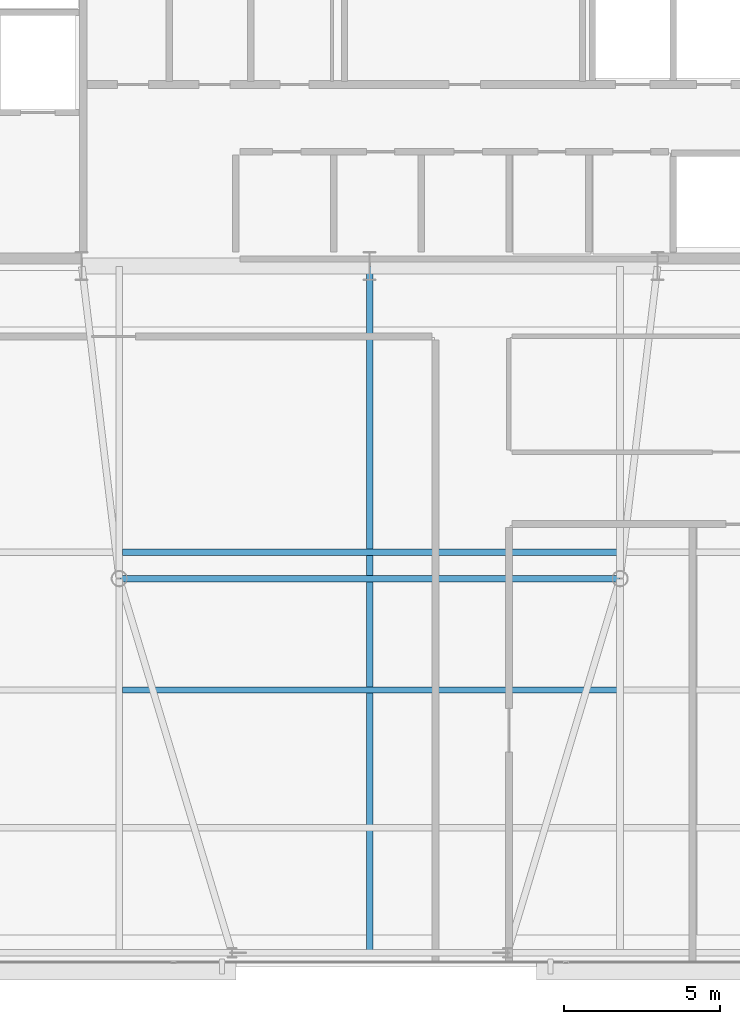
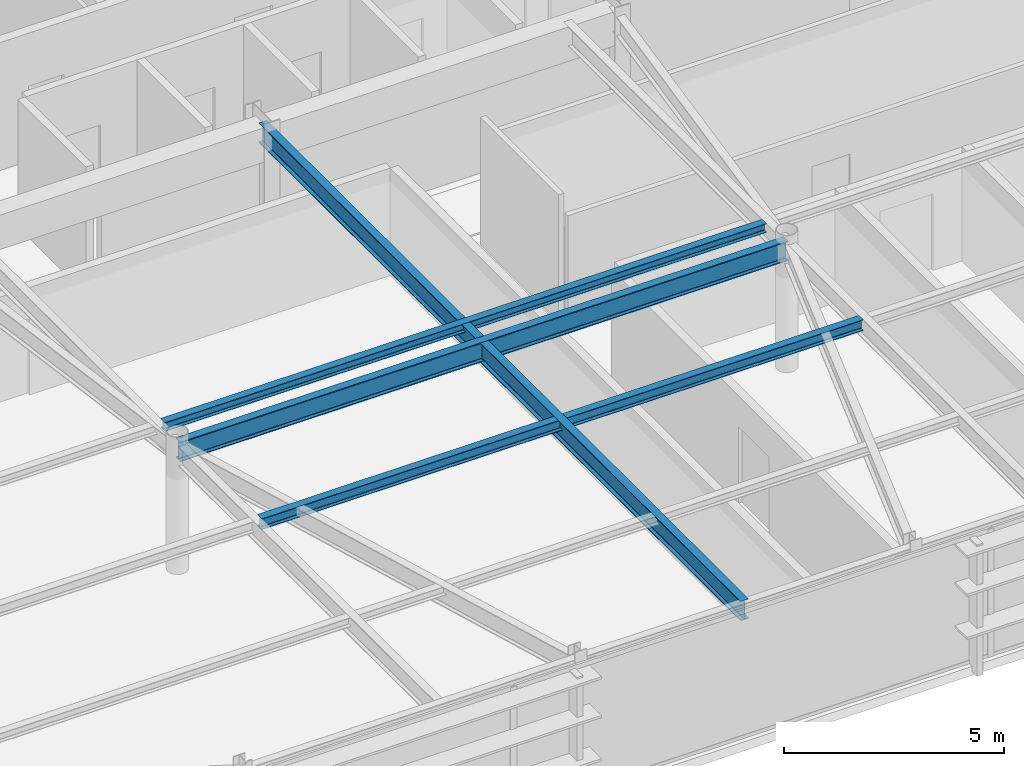
# One storey, part 9 of 24: 4 beams.
"""IFC4 building model written with IfcOpenShell, lengths in metres."""

from ifc_helpers import new_model, si_unit, direction, frame, origin, origin_2d, place, context, subcontext, project, spatial, i_section, extrude, source, transform, mapped, material, material_profile, profile_set, type_object, type_shapes, element, save


model = new_model("IFC4")

# Units and contexts
model_context = context("Model", 3, precision=1e-05, world=origin(), true_north=direction((0.0, 1.0)))
body_context = subcontext(model_context, "Body", "Model", "MODEL_VIEW")
ifc_project = project(units=[si_unit("LENGTHUNIT", "METRE"), si_unit("AREAUNIT", "SQUARE_METRE"), si_unit("VOLUMEUNIT", "CUBIC_METRE"), si_unit("PLANEANGLEUNIT", "RADIAN"), si_unit("MASSUNIT", "GRAM", prefix="KILO")], contexts=[model_context])

# Site, building, storey
site_placement = place(None, origin())
site = spatial("IfcSite", under=ifc_project, at=site_placement, CompositionType="ELEMENT")
building_placement = place(site_placement, origin())
building = spatial("IfcBuilding", under=site, at=building_placement, Name="Varnel Quay Broadcast Tower", CompositionType="ELEMENT")
storey_placement = place(building_placement, frame((0.0, 0.0, 285.0)))
storey = spatial("IfcBuildingStorey", under=building, at=storey_placement, Name="L71", CompositionType="ELEMENT", Elevation=285.0)

# Beams
ifc_material = material(Name="Structural Steel CSA G40.21 350W", Category="steel")
ifc_material_profile_1 = material_profile(ifc_material, i_section(OverallWidth=0.2119140625, OverallDepth=0.5439453125, WebThickness=0.01318359375, FlangeThickness=0.021240234375, FilletRadius=0.013916015625, at=origin_2d()), Name="W530X123")
ifc_profile_set_1 = profile_set([ifc_material_profile_1], Name="Structural Steel CSA G40.21 350W")
beam_type_1 = type_object("IfcBeamType", Name="Girder_W530X123", PredefinedType="BEAM", material=ifc_profile_set_1)
shared_shape_1 = source(origin(), body_context, "Body", "SweptSolid", [
    extrude(i_section(OverallWidth=0.2119140625, OverallDepth=0.5439453125, WebThickness=0.01318359375, FlangeThickness=0.021240234375, FilletRadius=0.013916015625, at=origin_2d()), origin(), (0.0, 0.0, 1.0), 15.9599609375),
])
beam_1_placement = place(storey_placement, frame((26.02001953125, 25.610107421875, 3.278076171875), z_axis=(1.0, 0.0, 0.0), x_axis=(0.0, 1.0, 0.0)))
element("IfcBeam", 1, at=beam_1_placement, inside=storey, type_object=beam_type_1, Name="L71 Interior Spine Girder", PredefinedType="BEAM", context=body_context, shape_type="MappedRepresentation", body=[
    mapped(shared_shape_1, transform((0.0, 0.0, 0.0), x_axis=(1.0, 0.0, 0.0), y_axis=(0.0, 1.0, 0.0), z_axis=(0.0, 0.0, 1.0), scale=1.0)),
])
shared_shape_2 = source(origin(), body_context, "Body", "SweptSolid", [
    extrude(i_section(OverallWidth=0.2119140625, OverallDepth=0.5439453125, WebThickness=0.01318359375, FlangeThickness=0.021240234375, FilletRadius=0.013916015625, at=origin_2d()), origin(), (0.0, 0.0, 1.0), 21.91015625),
])
type_shapes(beam_type_1, [shared_shape_1, shared_shape_2])
beam_2_placement = place(storey_placement, frame((34.0, 13.669921875, 3.278076171875), z_axis=(0.0, 1.0, 0.0), x_axis=(-1.0, 0.0, 0.0)))
element("IfcBeam", 2, at=beam_2_placement, inside=storey, type_object=beam_type_1, Name="L71 Central Bay Girder", PredefinedType="BEAM", context=body_context, shape_type="MappedRepresentation", body=[
    mapped(shared_shape_2, transform((0.0, 0.0, 0.0), x_axis=(1.0, 0.0, 0.0), y_axis=(0.0, 1.0, 0.0), z_axis=(0.0, 0.0, 1.0), scale=1.0)),
])
ifc_material_profile_2 = material_profile(ifc_material, i_section(OverallWidth=0.201904296875, OverallDepth=0.2470703125, WebThickness=0.00732421875, FlangeThickness=0.010986328125, FilletRadius=0.010986328125, at=origin_2d()), Name="W250X49")
ifc_profile_set_2 = profile_set([ifc_material_profile_2], Name="Structural Steel CSA G40.21 350W")
beam_type_2 = type_object("IfcBeamType", Name="Beam_W250X49", PredefinedType="JOIST", material=ifc_profile_set_2)
shared_shape_3 = source(origin(), body_context, "Body", "SweptSolid", [
    extrude(i_section(OverallWidth=0.201904296875, OverallDepth=0.2470703125, WebThickness=0.00732421875, FlangeThickness=0.010986328125, FilletRadius=0.010986328125, at=origin_2d()), origin(), (0.0, 0.0, 1.0), 15.7978515625),
])
type_shapes(beam_type_2, [shared_shape_3])
beam_3_placement = place(storey_placement, frame((26.10107421875, 26.449951171875, 3.426513671875), z_axis=(1.0, 0.0, 0.0), x_axis=(0.0, 1.0, 0.0)))
element("IfcBeam", 3, at=beam_3_placement, inside=storey, type_object=beam_type_2, Name="L71 Central Floor Joist 3", PredefinedType="JOIST", context=body_context, shape_type="MappedRepresentation", body=[
    mapped(shared_shape_3, transform((0.0, 0.0, 0.0), x_axis=(1.0, 0.0, 0.0), y_axis=(0.0, 1.0, 0.0), z_axis=(0.0, 0.0, 1.0), scale=1.0)),
])
ifc_material_profile_3 = material_profile(ifc_material, i_section(OverallWidth=0.202880859375, OverallDepth=0.302978515625, WebThickness=0.007568359375, FlangeThickness=0.01318359375, FilletRadius=0.011962890625, at=origin_2d()), Name="W310X60")
ifc_profile_set_3 = profile_set([ifc_material_profile_3], Name="Structural Steel CSA G40.21 350W")
beam_type_3 = type_object("IfcBeamType", Name="Beam_W310X60", PredefinedType="JOIST", material=ifc_profile_set_3)
shared_shape_4 = source(origin(), body_context, "Body", "SweptSolid", [
    extrude(i_section(OverallWidth=0.202880859375, OverallDepth=0.302978515625, WebThickness=0.007568359375, FlangeThickness=0.01318359375, FilletRadius=0.011962890625, at=origin_2d()), origin(), (0.0, 0.0, 1.0), 15.7978515625),
])
type_shapes(beam_type_3, [shared_shape_4])
beam_4_placement = place(storey_placement, frame((26.10107421875, 22.050048828125, 3.3984375), z_axis=(1.0, 0.0, 0.0), x_axis=(0.0, 1.0, 0.0)))
element("IfcBeam", 4, at=beam_4_placement, inside=storey, type_object=beam_type_3, Name="L71 Central Floor Joist 2", PredefinedType="JOIST", context=body_context, shape_type="MappedRepresentation", body=[
    mapped(shared_shape_4, transform((0.0, 0.0, 0.0), x_axis=(1.0, 0.0, 0.0), y_axis=(0.0, 1.0, 0.0), z_axis=(0.0, 0.0, 1.0), scale=1.0)),
])

save(model, "model.ifc")
